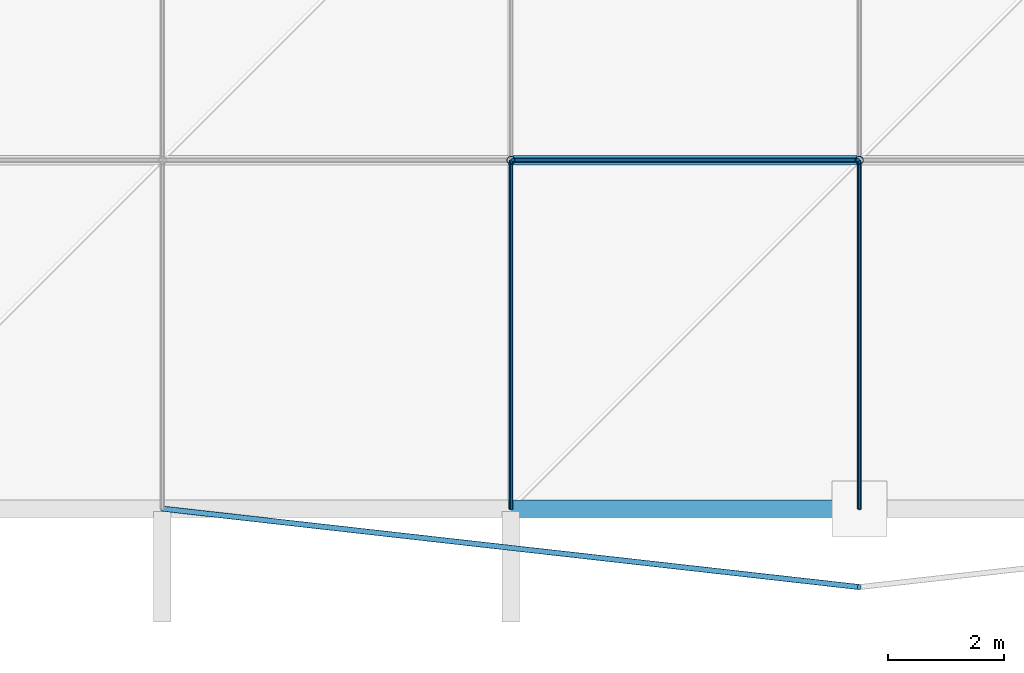
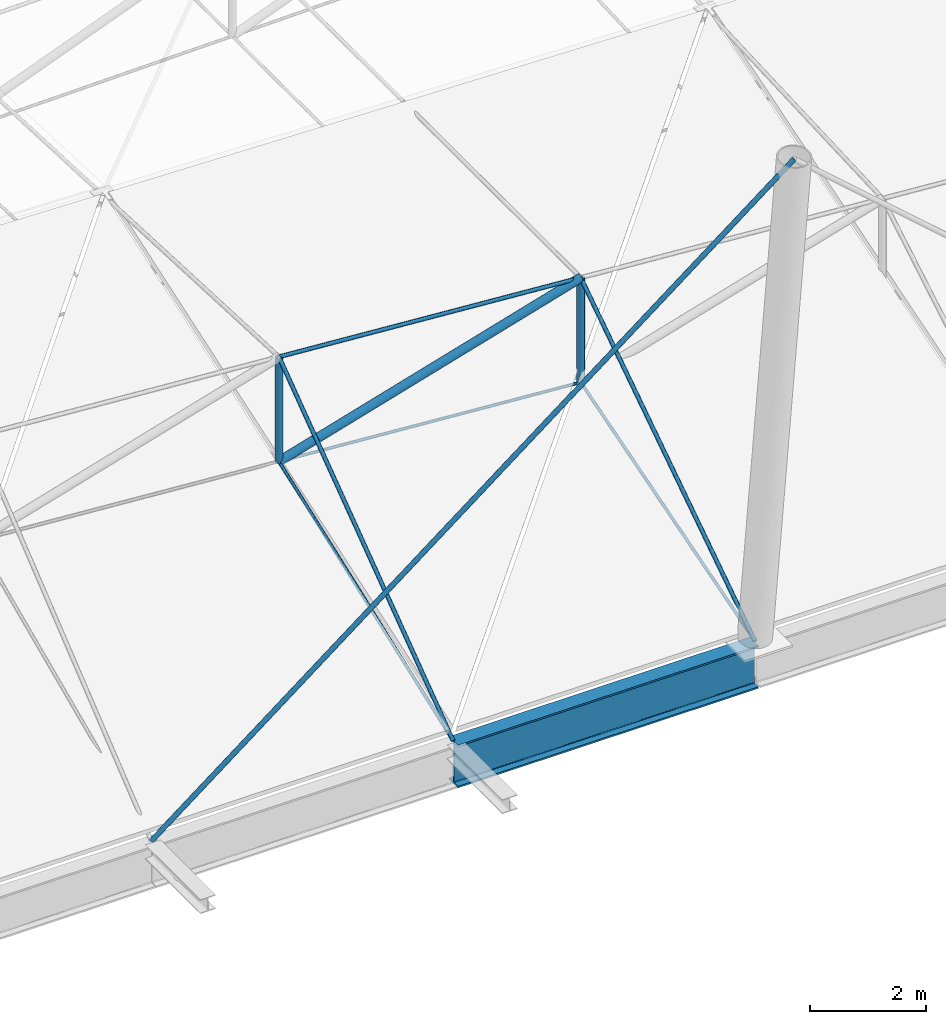
# One storey, part 22 of 132: 10 members, 1 beam.
"""IFC4 building model written with IfcOpenShell, lengths in metres."""

from ifc_helpers import new_model, si_unit, direction, frame, origin, origin_2d, place, context, subcontext, project, spatial, circle, hollow_circle, i_section, extrude, material, material_profile, profile_set, type_object, element, save


model = new_model("IFC4")

# Units and contexts
model_context = context("Model", 3, precision=1e-05, world=origin(), true_north=direction((0.0, 1.0)))
body_context = subcontext(model_context, "Body", "Model", "MODEL_VIEW")
ifc_project = project(units=[si_unit("LENGTHUNIT", "METRE"), si_unit("AREAUNIT", "SQUARE_METRE"), si_unit("VOLUMEUNIT", "CUBIC_METRE"), si_unit("PLANEANGLEUNIT", "RADIAN"), si_unit("MASSUNIT", "GRAM", prefix="KILO")], contexts=[model_context])

# Site, building, storey
site_placement = place(None, origin())
site = spatial("IfcSite", under=ifc_project, at=site_placement, CompositionType="ELEMENT")
building_placement = place(site_placement, origin())
building = spatial("IfcBuilding", under=site, at=building_placement, Name="Deido Ridge Mobility Hub", CompositionType="ELEMENT")
storey_placement = place(building_placement, frame((0.0, 0.0, 8.39990234375)))
storey = spatial("IfcBuildingStorey", under=building, at=storey_placement, Name="L02", CompositionType="ELEMENT", Elevation=8.39990234375)

# Beam
ifc_material_1 = material(Name="Steel S355J2 EN 10025-2", Category="steel")
ifc_material_profile_1 = material_profile(ifc_material_1, i_section(OverallWidth=0.300048828125, OverallDepth=0.89990234375, WebThickness=0.0185546875, FlangeThickness=0.034912109375, FilletRadius=0.027099609375, at=origin_2d()), Name="HEB 900")
ifc_profile_set_1 = profile_set([ifc_material_profile_1], Name="Steel S355J2 EN 10025-2")
beam_type = type_object("IfcBeamType", Name="BM-RING-HEB900", PredefinedType="USERDEFINED", material=ifc_profile_set_1)
beam_placement = place(storey_placement, frame((24.008056640625, 0.0, -0.449951171875), z_axis=(1.0, 0.0, 0.0), x_axis=(0.0, 1.0, 0.0)))
element("IfcBeam", 1, at=beam_placement, inside=storey, type_object=beam_type, Name="Compression ring beam RB1", ObjectType="RING BEAM", PredefinedType="USERDEFINED", context=body_context, shape_type="SweptSolid", body=[
    extrude(i_section(OverallWidth=0.300048828125, OverallDepth=0.89990234375, WebThickness=0.0185546875, FlangeThickness=0.034912109375, FilletRadius=0.027099609375, at=origin_2d()), origin(), (0.0, 0.0, 1.0), 5.97705078125),
])

# Members
ifc_material_2 = material(Name="Steel S460M EN 10025-4", Category="steel")
ifc_material_profile_2 = material_profile(ifc_material_2, circle(Radius=0.030029296875, at=origin_2d()), Name="CABLE D60")
ifc_profile_set_2 = profile_set([ifc_material_profile_2], Name="Steel S460M EN 10025-4")
member_type_1 = type_object("IfcMemberType", Name="MEM-CBL-D60", PredefinedType="USERDEFINED", material=ifc_profile_set_2)
member_1_placement = place(storey_placement, frame((24.0, 6.0, 2.23681640625), z_axis=(0.997360957073, 0.0, -0.07260248829), x_axis=(0.0, 1.0, 0.0)))
element("IfcMember", 2, at=member_1_placement, inside=storey, type_object=member_type_1, Name="Saddle lower stabilizing cable CB3", ObjectType="TENSION CABLE", PredefinedType="USERDEFINED", context=body_context, shape_type="SweptSolid", body=[
    extrude(circle(Radius=0.030029296875, at=origin_2d()), origin(), (0.0, 0.0, 1.0), 6.015869140625),
])
member_2_placement = place(storey_placement, frame((24.0, 0.0, 0.0), z_axis=(0.0, 0.937004319079, 0.349317772274), x_axis=(-1.0, 0.0, 0.0)))
element("IfcMember", 3, at=member_2_placement, inside=storey, type_object=member_type_1, Name="Saddle transverse valley cable CB3", ObjectType="TENSION CABLE", PredefinedType="USERDEFINED", context=body_context, shape_type="SweptSolid", body=[
    extrude(circle(Radius=0.030029296875, at=origin_2d()), origin(), (0.0, 0.0, 1.0), 6.4033203125),
])
member_3_placement = place(storey_placement, frame((30.0, 0.0, 0.0), z_axis=(0.0, 0.957824139839, 0.287355036744), x_axis=(-1.0, 0.0, 0.0)))
element("IfcMember", 4, at=member_3_placement, inside=storey, type_object=member_type_1, Name="Saddle transverse valley cable CB3", ObjectType="TENSION CABLE", PredefinedType="USERDEFINED", context=body_context, shape_type="SweptSolid", body=[
    extrude(circle(Radius=0.030029296875, at=origin_2d()), origin(), (0.0, 0.0, 1.0), 6.26416015625),
])
ifc_material_profile_3 = material_profile(ifc_material_2, circle(Radius=0.0380859375, at=origin_2d()), Name="CABLE D76")
ifc_profile_set_3 = profile_set([ifc_material_profile_3], Name="Steel S460M EN 10025-4")
member_type_2 = type_object("IfcMemberType", Name="MEM-CBL-D76", PredefinedType="USERDEFINED", material=ifc_profile_set_3)
member_4_placement = place(storey_placement, frame((24.0, 6.0, 4.436767578125), z_axis=(0.997360957073, 0.0, -0.07260248829), x_axis=(0.0, 1.0, 0.0)))
element("IfcMember", 5, at=member_4_placement, inside=storey, type_object=member_type_2, Name="Saddle upper longitudinal cable CB2", ObjectType="TENSION CABLE", PredefinedType="USERDEFINED", context=body_context, shape_type="SweptSolid", body=[
    extrude(circle(Radius=0.0380859375, at=origin_2d()), origin(), (0.0, 0.0, 1.0), 6.015869140625),
])
member_5_placement = place(storey_placement, frame((24.0, 0.0, 0.0), z_axis=(0.0, 0.804048975361, 0.594563070851), x_axis=(-1.0, 0.0, 0.0)))
element("IfcMember", 6, at=member_5_placement, inside=storey, type_object=member_type_2, Name="Saddle transverse ridge cable CB2", ObjectType="TENSION CABLE", PredefinedType="USERDEFINED", context=body_context, shape_type="SweptSolid", body=[
    extrude(circle(Radius=0.0380859375, at=origin_2d()), origin(), (0.0, 0.0, 1.0), 7.462158203125),
])
member_6_placement = place(storey_placement, frame((30.0, 0.0, 0.0), z_axis=(0.0, 0.832050294338, 0.554700196225), x_axis=(-1.0, 0.0, 0.0)))
element("IfcMember", 7, at=member_6_placement, inside=storey, type_object=member_type_2, Name="Saddle transverse ridge cable CB2", ObjectType="TENSION CABLE", PredefinedType="USERDEFINED", context=body_context, shape_type="SweptSolid", body=[
    extrude(circle(Radius=0.0380859375, at=origin_2d()), origin(), (0.0, 0.0, 1.0), 7.211181640625),
])
ifc_material_profile_4 = material_profile(ifc_material_2, circle(Radius=0.047607421875, at=origin_2d()), Name="CABLE D95")
ifc_profile_set_4 = profile_set([ifc_material_profile_4], Name="Steel S460M EN 10025-4")
member_type_3 = type_object("IfcMemberType", Name="MEM-CBL-D95", PredefinedType="USERDEFINED", material=ifc_profile_set_4)
member_7_placement = place(storey_placement, frame((30.0, -1.35009765625, 10.9501953125), z_axis=(-0.736141543271, 0.082821914353, -0.671741139706), x_axis=(-0.111802758991, -0.99373041771, 0.0)))
element("IfcMember", 8, at=member_7_placement, inside=storey, type_object=member_type_3, Name="Mast M5 stay cable CB1", ObjectType="TENSION CABLE", PredefinedType="USERDEFINED", context=body_context, shape_type="SweptSolid", body=[
    extrude(circle(Radius=0.047607421875, at=origin_2d()), origin(), (0.0, 0.0, 1.0), 16.30126953125),
])
ifc_material_3 = material(Name="Steel S355J2H EN 10210-1", Category="steel")
ifc_material_profile_5 = material_profile(ifc_material_3, hollow_circle(Radius=0.06982421875, WallThickness=0.00634765625, at=origin_2d()), Name="CHS 139.7x6.3")
ifc_profile_set_5 = profile_set([ifc_material_profile_5], Name="Steel S355J2H EN 10210-1")
member_type_4 = type_object("IfcMemberType", Name="MEM-STR-CHS140", PredefinedType="STRUT", material=ifc_profile_set_5)
for number, where, z_axis, x_axis, name in (
    (9, (24.0, 6.0, 2.23681640625), (0.0, 0.0, 1.0), (1.0, 0.0, 0.0), "Cable-net vertical spreader strut SR2"),
    (10, (30.0, 6.0, 1.800048828125), (0.0, 0.0, 1.0), (1.0, 0.0, 0.0), "Cable-net vertical spreader strut SR2"),
):
    element("IfcMember", number, at=place(storey_placement, frame(where, z_axis=z_axis, x_axis=x_axis)), inside=storey, type_object=member_type_4, Name=name, PredefinedType="STRUT", context=body_context, shape_type="SweptSolid", body=[
        extrude(hollow_circle(Radius=0.06982421875, WallThickness=0.00634765625, at=origin_2d()), origin(), (0.0, 0.0, 1.0), 2.199951171875),
    ])
ifc_material_profile_6 = material_profile(ifc_material_3, hollow_circle(Radius=0.084228515625, WallThickness=0.008056640625, at=origin_2d()), Name="CHS 168.3x8")
ifc_profile_set_6 = profile_set([ifc_material_profile_6], Name="Steel S355J2H EN 10210-1")
member_type_5 = type_object("IfcMemberType", Name="MEM-STR-CHS168", PredefinedType="STRUT", material=ifc_profile_set_6)
member_8_placement = place(storey_placement, frame((24.0, 6.0, 2.23681640625), z_axis=(0.959431369876, 0.0, 0.281942275116), x_axis=(0.0, 1.0, 0.0)))
element("IfcMember", 11, at=member_8_placement, inside=storey, type_object=member_type_5, Name="Saddle diagonal web strut SR1", PredefinedType="STRUT", context=body_context, shape_type="SweptSolid", body=[
    extrude(hollow_circle(Radius=0.084228515625, WallThickness=0.008056640625, at=origin_2d()), origin(), (0.0, 0.0, 1.0), 6.253662109375),
])

save(model, "model.ifc")
